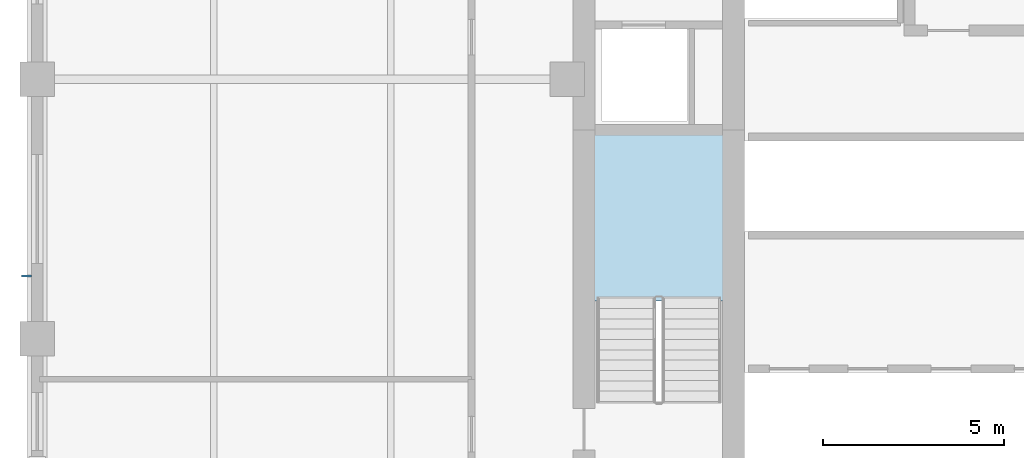
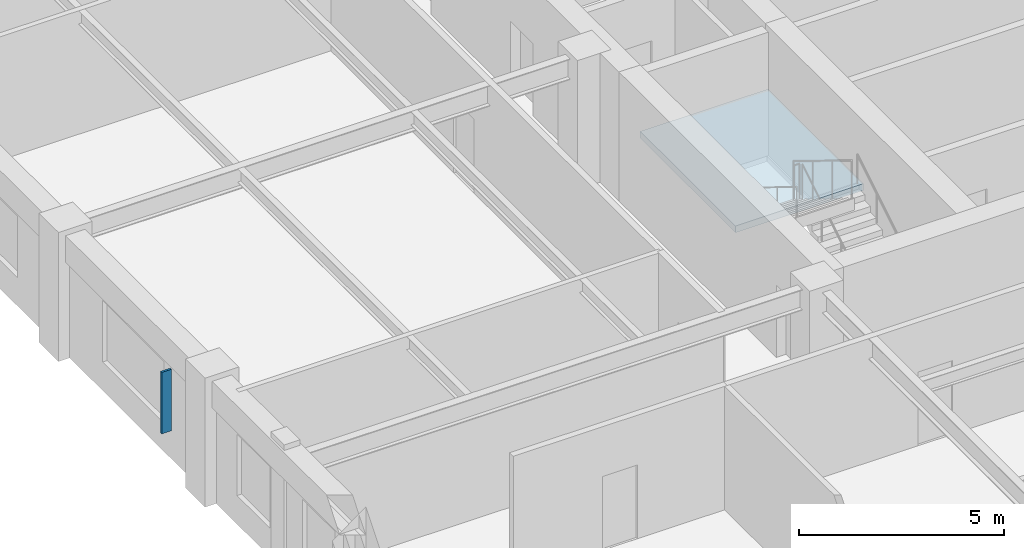
# One storey, part 2 of 9: 1 plate, 1 slab, 1 element without a shape of its own.
"""IFC4 building model written with IfcOpenShell, lengths in metres."""

from ifc_helpers import new_model, si_unit, direction, frame, origin, origin_2d, place, context, subcontext, project, spatial, polyline, rectangle, outline, extrude, material, layer, layer_set, type_object, element, aggregate, save


model = new_model("IFC4")

# Units and contexts
model_context = context("Model", 3, precision=1e-05, world=origin(), true_north=direction((0.0, 1.0)))
body_context = subcontext(model_context, "Body", "Model", "MODEL_VIEW")
ifc_project = project(units=[si_unit("LENGTHUNIT", "METRE"), si_unit("AREAUNIT", "SQUARE_METRE"), si_unit("VOLUMEUNIT", "CUBIC_METRE"), si_unit("PLANEANGLEUNIT", "RADIAN"), si_unit("MASSUNIT", "GRAM", prefix="KILO")], contexts=[model_context])

# Site, building, storey
site_placement = place(None, origin())
site = spatial("IfcSite", under=ifc_project, at=site_placement, CompositionType="ELEMENT")
building_placement = place(site_placement, origin())
building = spatial("IfcBuilding", under=site, at=building_placement, Name="Nhamokura Convention Tower", CompositionType="ELEMENT")
storey_placement = place(building_placement, frame((0.0, 0.0, 126.0)))
storey = spatial("IfcBuildingStorey", under=building, at=storey_placement, Name="L30", CompositionType="ELEMENT", Elevation=126.0)

# Plate
ifc_material_1 = material(Name="Anodised bronze aluminium AA6063-T6", Category="aluminium")
plate_type = type_object("IfcPlateType", Name="BronzeSolarFin_2", PredefinedType="USERDEFINED", material=ifc_material_1)
plate_placement = place(storey_placement, frame((5.699951171875, 26.566650390625, 0.85009765625), z_axis=(0.0, 0.0, 1.0), x_axis=(1.0, 0.0, 0.0)))
element("IfcPlate", 1, at=plate_placement, inside=storey, type_object=plate_type, Name="L30 Bronze Solar Shading Fin WEST 2", ObjectType="SOLAR_FIN", PredefinedType="USERDEFINED", context=body_context, shape_type="SweptSolid", body=[
    extrude(rectangle(XDim=0.280029296875, YDim=0.06005859375, at=origin_2d()), origin(), (0.0, 0.0, 1.0), 1.8349609375),
])

# Stair, slab
ifc_material_2 = material(Name="Concrete C40/50", Category="concrete")
stair_type = type_object("IfcStairType", Name="TowerCoreStair_1650", PredefinedType="HALF_TURN_STAIR", material=ifc_material_2)
stair_placement = place(storey_placement, origin())
stair = element("IfcStair", 2, at=stair_placement, inside=storey, type_object=stair_type, Name="L30 West Core Smokeproof Stair ST-01", PredefinedType="HALF_TURN_STAIR")
ifc_material_3 = material(Name="Concrete C40/50", Category="concrete")
ifc_layer = layer(ifc_material_3, 0.199951171875)
ifc_layer_set = layer_set([ifc_layer], Name="StairLandingSlab_200")
slab_type = type_object("IfcSlabType", Name="StairLandingSlab_200", PredefinedType="LANDING", material=ifc_layer_set)
slab_placement = place(storey_placement, frame((0.0, 0.0, 1.72509765625)))
slab = element("IfcSlab", 3, at=slab_placement, type_object=slab_type, Name="ST-01 landing 1", PredefinedType="LANDING", context=body_context, shape_type="SweptSolid", body=[
    extrude(outline(polyline([(24.97998046875, 25.8701171875), (24.97998046875, 30.530029296875), (21.3701171875, 30.530029296875), (21.3701171875, 25.8701171875), (24.97998046875, 25.8701171875)])), origin(), (0.0, 0.0, 1.0), 0.199951171875),
])
aggregate(stair, [slab])

save(model, "model.ifc")
